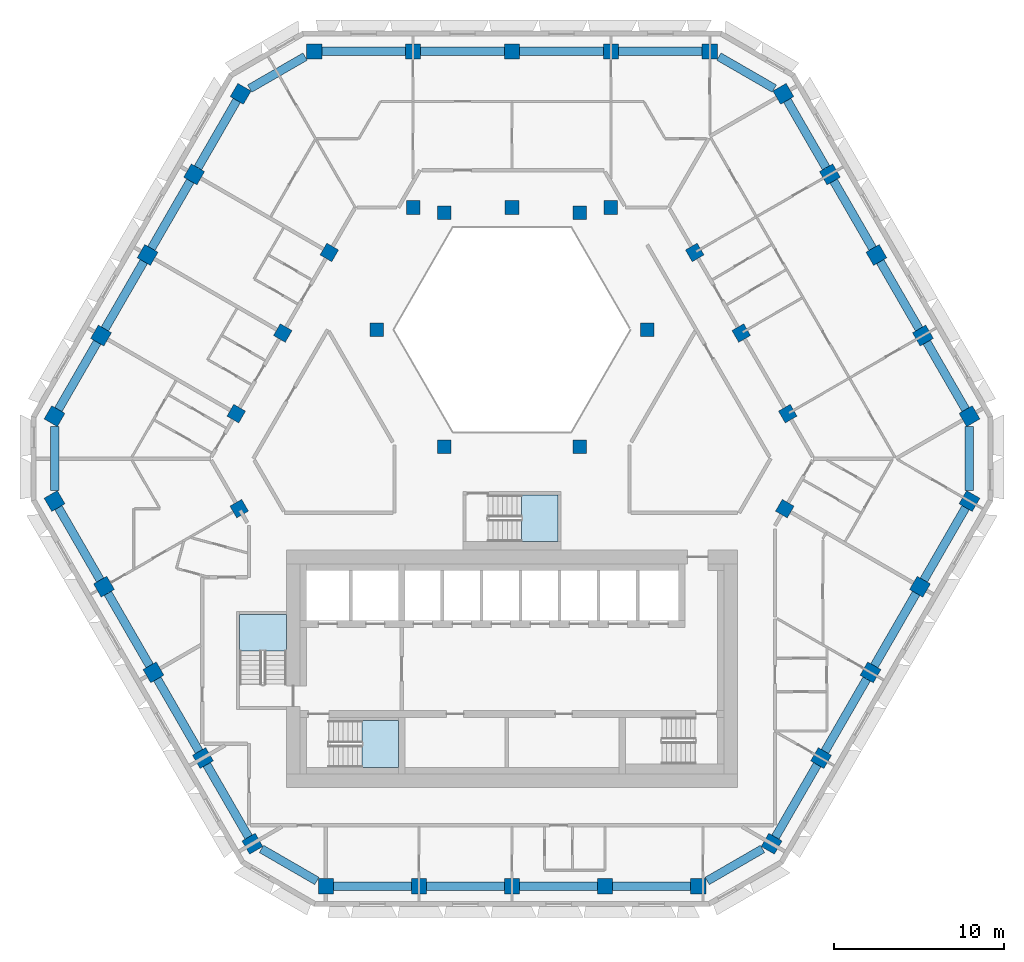
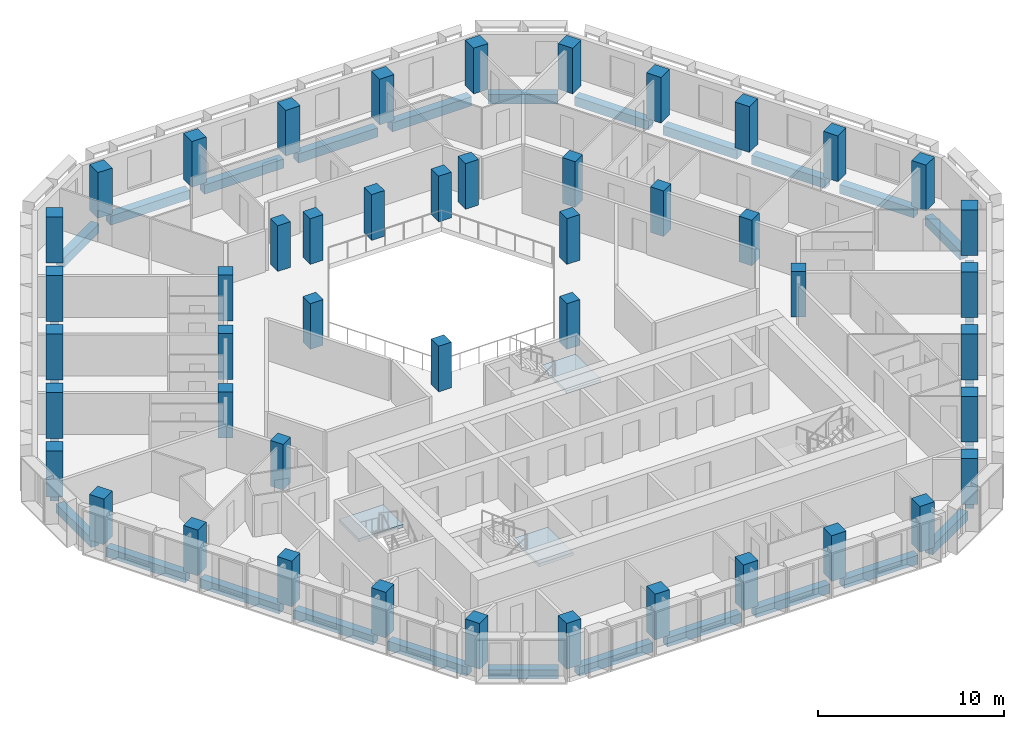
# One storey, part 1 of 15: 47 columns, 30 beams, 3 slabs, 3 elements without a shape of their own.
"""IFC4 building model written with IfcOpenShell, lengths in metres."""

from ifc_helpers import new_model, si_unit, direction, frame, origin, origin_2d, place, context, subcontext, project, spatial, polyline, rectangle, outline, extrude, material, layer, layer_set, material_profile, profile_set, type_object, element, aggregate, save


model = new_model("IFC4")

# Units and contexts
model_context = context("Model", 3, precision=1e-05, world=origin(), true_north=direction((0.0, 1.0)))
body_context = subcontext(model_context, "Body", "Model", "MODEL_VIEW")
ifc_project = project(units=[si_unit("LENGTHUNIT", "METRE"), si_unit("AREAUNIT", "SQUARE_METRE"), si_unit("VOLUMEUNIT", "CUBIC_METRE"), si_unit("PLANEANGLEUNIT", "RADIAN"), si_unit("MASSUNIT", "GRAM", prefix="KILO")], contexts=[model_context])

# Site, building, storey
site_placement = place(None, origin())
site = spatial("IfcSite", under=ifc_project, at=site_placement, CompositionType="ELEMENT")
building_placement = place(site_placement, origin())
building = spatial("IfcBuilding", under=site, at=building_placement, Name="Beryl Residences", CompositionType="ELEMENT")
storey_placement = place(building_placement, frame((0.0, 0.0, 147.60009765625)))
storey = spatial("IfcBuildingStorey", under=building, at=storey_placement, Name="L45", CompositionType="ELEMENT", Elevation=147.60009765625)

# Columns
ifc_material_1 = material(Name="Concrete C60/75", Category="concrete")
ifc_material_profile_1 = material_profile(ifc_material_1, rectangle(XDim=0.89990234375, YDim=0.89990234375, at=origin_2d()))
ifc_profile_set_1 = profile_set([ifc_material_profile_1], Name="Concrete C60/75")
column_type_1 = type_object("IfcColumnType", Name="C3 tube column 900 x 900 C60/75", PredefinedType="COLUMN", material=ifc_profile_set_1)
for number, where, z_axis, x_axis, name in (
    (1, (11.662109375, 24.39990234375, 0.0), (0.0, 0.0, 1.0), (-1.0, 0.0, 0.0), "C3-N1 L45"),
    (2, (5.8310546875, 24.39990234375, 0.0), (0.0, 0.0, 1.0), (-1.0, 0.0, 0.0), "C3-N2 L45"),
    (3, (0.0, 24.39990234375, 0.0), (0.0, 0.0, 1.0), (-1.0, 0.0, 0.0), "C3-N3 L45"),
    (4, (-5.8310546875, 24.39990234375, 0.0), (0.0, 0.0, 1.0), (-1.0, 0.0, 0.0), "C3-N4 L45"),
    (5, (-11.662109375, 24.39990234375, 0.0), (0.0, 0.0, 1.0), (-1.0, 0.0, 0.0), "C3-N5 L45"),
    (6, (-15.992919921875, 21.89990234375, 0.0), (0.0, 0.0, 1.0), (-0.5, -0.866025403784, 0.0), "C3-NW1 L45"),
    (7, (-18.735107421875, 17.14990234375, 0.0), (0.0, 0.0, 1.0), (-0.5, -0.866025403784, 0.0), "C3-NW2 L45"),
    (8, (-21.47802734375, 12.39990234375, 0.0), (0.0, 0.0, 1.0), (-0.5, -0.866025403784, 0.0), "C3-NW3 L45"),
    (9, (-24.219970703125, 7.64990234375, 0.0), (0.0, 0.0, 1.0), (-0.5, -0.866025403784, 0.0), "C3-NW4 L45"),
    (10, (-26.962890625, 2.89990234375, 0.0), (0.0, 0.0, 1.0), (-0.5, -0.866025403784, 0.0), "C3-NW5 L45"),
    (11, (-26.9619140625, -2.10009765625, 0.0), (0.0, 0.0, 1.0), (0.5, -0.866025403784, 0.0), "C3-SW1 L45"),
    (12, (-24.047119140625, -7.14892578125, 0.0), (0.0, 0.0, 1.0), (0.5, -0.866025403784, 0.0), "C3-SW2 L45"),
    (13, (-21.131103515625, -12.198974609375, 0.0), (0.0, 0.0, 1.0), (0.5, -0.866025403784, 0.0), "C3-SW3 L45"),
    (14, (-18.216064453125, -17.2490234375, 0.0), (0.0, 0.0, 1.0), (0.5, -0.866025403784, 0.0), "C3-SW4 L45"),
    (15, (-15.300048828125, -22.299072265625, 0.0), (0.0, 0.0, 1.0), (0.5, -0.866025403784, 0.0), "C3-SW5 L45"),
    (16, (-10.968994140625, -24.800048828125, 0.0), (0.0, 0.0, 1.0), (1.0, 0.0, 0.0), "C3-S1 L45"),
    (17, (-5.48388671875, -24.800048828125, 0.0), (0.0, 0.0, 1.0), (1.0, 0.0, 0.0), "C3-S2 L45"),
    (18, (0.0009765625, -24.800048828125, 0.0), (0.0, 0.0, 1.0), (1.0, 0.0, 0.0), "C3-S3 L45"),
    (19, (5.486083984375, -24.800048828125, 0.0), (0.0, 0.0, 1.0), (1.0, 0.0, 0.0), "C3-S4 L45"),
    (20, (10.970947265625, -24.800048828125, 0.0), (0.0, 0.0, 1.0), (1.0, 0.0, 0.0), "C3-S5 L45"),
    (21, (15.299072265625, -22.300048828125, 0.0), (0.0, 0.0, 1.0), (0.5, 0.866025403784, 0.0), "C3-SE1 L45"),
    (22, (18.215087890625, -17.2509765625, 0.0), (0.0, 0.0, 1.0), (0.5, 0.866025403784, 0.0), "C3-SE2 L45"),
    (23, (21.1298828125, -12.200927734375, 0.0), (0.0, 0.0, 1.0), (0.5, 0.866025403784, 0.0), "C3-SE3 L45"),
    (24, (24.0458984375, -7.15087890625, 0.0), (0.0, 0.0, 1.0), (0.5, 0.866025403784, 0.0), "C3-SE4 L45"),
    (25, (26.9609375, -2.10107421875, 0.0), (0.0, 0.0, 1.0), (0.5, 0.866025403784, 0.0), "C3-SE5 L45"),
    (26, (26.962890625, 2.89990234375, 0.0), (0.0, 0.0, 1.0), (-0.5, 0.866025403784, 0.0), "C3-NE1 L45"),
    (27, (24.219970703125, 7.64990234375, 0.0), (0.0, 0.0, 1.0), (-0.5, 0.866025403784, 0.0), "C3-NE2 L45"),
    (28, (21.47802734375, 12.39990234375, 0.0), (0.0, 0.0, 1.0), (-0.5, 0.866025403784, 0.0), "C3-NE3 L45"),
    (29, (18.735107421875, 17.14990234375, 0.0), (0.0, 0.0, 1.0), (-0.5, 0.866025403784, 0.0), "C3-NE4 L45"),
    (30, (15.992919921875, 21.89990234375, 0.0), (0.0, 0.0, 1.0), (-0.5, 0.866025403784, 0.0), "C3-NE5 L45"),
):
    element("IfcColumn", number, at=place(storey_placement, frame(where, z_axis=z_axis, x_axis=x_axis)), inside=storey, type_object=column_type_1, Name=name, PredefinedType="COLUMN", context=body_context, shape_type="SweptSolid", body=[
        extrude(rectangle(XDim=0.89990234375, YDim=0.89990234375, at=origin_2d()), origin(), (0.0, 0.0, 1.0), 3.0),
    ])
ifc_material_2 = material(Name="Concrete C60/75", Category="concrete")
ifc_material_profile_2 = material_profile(ifc_material_2, rectangle(XDim=0.800048828125, YDim=0.800048828125, at=origin_2d()))
ifc_profile_set_2 = profile_set([ifc_material_profile_2], Name="Concrete C60/75")
column_type_2 = type_object("IfcColumnType", Name="IC3 interior column 800 x 800 C60/75", PredefinedType="COLUMN", material=ifc_profile_set_2)
for number, where, z_axis, x_axis, name in (
    (31, (-16.0791015625, -2.549072265625, 0.0), (0.0, 0.0, 1.0), (0.5, -0.866025403784, 0.0), "IC3-M01 L45"),
    (32, (16.077880859375, -2.551025390625, 0.0), (0.0, 0.0, 1.0), (0.5, 0.866025403784, 0.0), "IC3-M02 L45"),
    (33, (16.2529296875, 3.050048828125, 0.0), (0.0, 0.0, 1.0), (-0.5, 0.866025403784, 0.0), "IC3-M03 L45"),
    (34, (3.98388671875, 1.10009765625, 0.0), (0.0, 0.0, 1.0), (1.0, 0.0, 0.0), "IC3-A04 L45"),
    (35, (13.510009765625, 7.800048828125, 0.0), (0.0, 0.0, 1.0), (-0.5, 0.866025403784, 0.0), "IC3-M05 L45"),
    (36, (7.967041015625, 8.0, 0.0), (0.0, 0.0, 1.0), (1.0, 0.0, 0.0), "IC3-A06 L45"),
    (37, (10.76806640625, 12.550048828125, 0.0), (0.0, 0.0, 1.0), (-0.5, 0.866025403784, 0.0), "IC3-M07 L45"),
    (38, (5.8310546875, 15.199951171875, 0.0), (0.0, 0.0, 1.0), (-1.0, 0.0, 0.0), "IC3-M08 L45"),
    (39, (3.98388671875, 14.89990234375, 0.0), (0.0, 0.0, 1.0), (1.0, 0.0, 0.0), "IC3-A09 L45"),
    (40, (0.0, 15.199951171875, 0.0), (0.0, 0.0, 1.0), (-1.0, 0.0, 0.0), "IC3-M10 L45"),
    (41, (-3.98388671875, 14.89990234375, 0.0), (0.0, 0.0, 1.0), (1.0, 0.0, 0.0), "IC3-A11 L45"),
    (42, (-5.8310546875, 15.199951171875, 0.0), (0.0, 0.0, 1.0), (-1.0, 0.0, 0.0), "IC3-M12 L45"),
    (43, (-10.76806640625, 12.550048828125, 0.0), (0.0, 0.0, 1.0), (-0.5, -0.866025403784, 0.0), "IC3-M13 L45"),
    (44, (-7.967041015625, 8.0, 0.0), (0.0, 0.0, 1.0), (1.0, 0.0, 0.0), "IC3-A14 L45"),
    (45, (-13.510009765625, 7.800048828125, 0.0), (0.0, 0.0, 1.0), (-0.5, -0.866025403784, 0.0), "IC3-M15 L45"),
    (46, (-3.98388671875, 1.10009765625, 0.0), (0.0, 0.0, 1.0), (1.0, 0.0, 0.0), "IC3-A16 L45"),
    (47, (-16.2529296875, 3.050048828125, 0.0), (0.0, 0.0, 1.0), (-0.5, -0.866025403784, 0.0), "IC3-M17 L45"),
):
    element("IfcColumn", number, at=place(storey_placement, frame(where, z_axis=z_axis, x_axis=x_axis)), inside=storey, type_object=column_type_2, Name=name, PredefinedType="COLUMN", context=body_context, shape_type="SweptSolid", body=[
        extrude(rectangle(XDim=0.800048828125, YDim=0.800048828125, at=origin_2d()), origin(), (0.0, 0.0, 1.0), 3.0),
    ])

# Beams
ifc_material_3 = material(Name="Concrete C60/75", Category="concrete")
ifc_material_profile_3 = material_profile(ifc_material_3, rectangle(XDim=0.5, YDim=0.60009765625, at=origin_2d()))
ifc_profile_set_3 = profile_set([ifc_material_profile_3], Name="Concrete C60/75")
beam_type = type_object("IfcBeamType", Name="SB3 spandrel beam 500 x 600 C60/75", PredefinedType="SPANDREL", material=ifc_profile_set_3)
beam_1_placement = place(storey_placement, frame((11.2119140625, 24.39990234375, -0.60009765625), z_axis=(-1.0, 0.0, 0.0), x_axis=(0.0, -1.0, 0.0)))
element("IfcBeam", 48, at=beam_1_placement, inside=storey, type_object=beam_type, Name="SB3 L45 N-0", PredefinedType="SPANDREL", context=body_context, shape_type="SweptSolid", body=[
    extrude(rectangle(XDim=0.5, YDim=0.60009765625, at=origin_2d()), origin(), (0.0, 0.0, 1.0), 4.930908203125),
])
for number, where, z_axis, x_axis, name in (
    (49, (5.381103515625, 24.39990234375, -0.60009765625), (-1.0, 0.0, 0.0), (0.0, -1.0, 0.0), "SB3 L45 N-1"),
    (50, (-0.449951171875, 24.39990234375, -0.60009765625), (-1.0, 0.0, 0.0), (0.0, -1.0, 0.0), "SB3 L45 N-2"),
):
    element("IfcBeam", number, at=place(storey_placement, frame(where, z_axis=z_axis, x_axis=x_axis)), inside=storey, type_object=beam_type, Name=name, PredefinedType="SPANDREL", context=body_context, shape_type="SweptSolid", body=[
        extrude(rectangle(XDim=0.5, YDim=0.60009765625, at=origin_2d()), origin(), (0.0, 0.0, 1.0), 4.93115234375),
    ])
beam_2_placement = place(storey_placement, frame((-6.281005859375, 24.39990234375, -0.60009765625), z_axis=(-1.0, 0.0, 0.0), x_axis=(0.0, -1.0, 0.0)))
element("IfcBeam", 51, at=beam_2_placement, inside=storey, type_object=beam_type, Name="SB3 L45 N-3", PredefinedType="SPANDREL", context=body_context, shape_type="SweptSolid", body=[
    extrude(rectangle(XDim=0.5, YDim=0.60009765625, at=origin_2d()), origin(), (0.0, 0.0, 1.0), 4.930908203125),
])
beam_3_placement = place(storey_placement, frame((-12.194091796875, 24.093017578125, -0.60009765625), z_axis=(-0.866040087317, -0.499974566514, 0.0), x_axis=(0.499974566514, -0.866040087317, 0.0)))
element("IfcBeam", 52, at=beam_3_placement, inside=storey, type_object=beam_type, Name="SB3 L45 N-4", PredefinedType="SPANDREL", context=body_context, shape_type="SweptSolid", body=[
    extrude(rectangle(XDim=0.5, YDim=0.60009765625, at=origin_2d()), origin(), (0.0, 0.0, 1.0), 3.772216796875),
])
beam_4_placement = place(storey_placement, frame((-16.218017578125, 21.510009765625, -0.60009765625), z_axis=(-0.49998830735, -0.866032154434, 0.0), x_axis=(0.866032154434, -0.49998830735, 0.0)))
element("IfcBeam", 53, at=beam_4_placement, inside=storey, type_object=beam_type, Name="SB3 L45 NW-0", PredefinedType="SPANDREL", context=body_context, shape_type="SweptSolid", body=[
    extrude(rectangle(XDim=0.5, YDim=0.60009765625, at=origin_2d()), origin(), (0.0, 0.0, 1.0), 4.583984375),
])
beam_5_placement = place(storey_placement, frame((-18.9599609375, 16.760009765625, -0.60009765625), z_axis=(-0.500148059018, -0.865939904993, 0.0), x_axis=(0.865939904993, -0.500148059018, 0.0)))
element("IfcBeam", 54, at=beam_5_placement, inside=storey, type_object=beam_type, Name="SB3 L45 NW-1", PredefinedType="SPANDREL", context=body_context, shape_type="SweptSolid", body=[
    extrude(rectangle(XDim=0.5, YDim=0.60009765625, at=origin_2d()), origin(), (0.0, 0.0, 1.0), 4.58447265625),
])
beam_6_placement = place(storey_placement, frame((-21.702880859375, 12.010009765625, -0.60009765625), z_axis=(-0.500028250054, -0.866009092994, 0.0), x_axis=(0.866009092994, -0.500028250054, 0.0)))
element("IfcBeam", 55, at=beam_6_placement, inside=storey, type_object=beam_type, Name="SB3 L45 NW-2", PredefinedType="SPANDREL", context=body_context, shape_type="SweptSolid", body=[
    extrude(rectangle(XDim=0.5, YDim=0.60009765625, at=origin_2d()), origin(), (0.0, 0.0, 1.0), 4.584228515625),
])
beam_7_placement = place(storey_placement, frame((-24.445068359375, 7.260009765625, -0.60009765625), z_axis=(-0.500148059018, -0.865939904993, 0.0), x_axis=(0.865939904993, -0.500148059018, 0.0)))
element("IfcBeam", 56, at=beam_7_placement, inside=storey, type_object=beam_type, Name="SB3 L45 NW-3", PredefinedType="SPANDREL", context=body_context, shape_type="SweptSolid", body=[
    extrude(rectangle(XDim=0.5, YDim=0.60009765625, at=origin_2d()), origin(), (0.0, 0.0, 1.0), 4.58447265625),
])
beam_8_placement = place(storey_placement, frame((-26.962890625, 2.285888671875, -0.60009765625), z_axis=(0.000258899668, -0.999999966485, 0.0), x_axis=(0.999999966485, 0.000258899668, 0.0)))
element("IfcBeam", 57, at=beam_8_placement, inside=storey, type_object=beam_type, Name="SB3 L45 NW-4", PredefinedType="SPANDREL", context=body_context, shape_type="SweptSolid", body=[
    extrude(rectangle(XDim=0.5, YDim=0.60009765625, at=origin_2d()), origin(), (0.0, 0.0, 1.0), 3.77197265625),
])
beam_9_placement = place(storey_placement, frame((-26.737060546875, -2.489990234375, -0.60009765625), z_axis=(0.50005397607, -0.865994238443, 0.0), x_axis=(0.865994238443, 0.50005397607, 0.0)))
element("IfcBeam", 58, at=beam_9_placement, inside=storey, type_object=beam_type, Name="SB3 L45 SW-0", PredefinedType="SPANDREL", context=body_context, shape_type="SweptSolid", body=[
    extrude(rectangle(XDim=0.5, YDim=0.60009765625, at=origin_2d()), origin(), (0.0, 0.0, 1.0), 4.9296875),
])
beam_10_placement = place(storey_placement, frame((-23.822021484375, -7.5390625, -0.60009765625), z_axis=(0.500116736097, -0.865957995677, 0.0), x_axis=(0.865957995677, 0.500116736097, 0.0)))
element("IfcBeam", 59, at=beam_10_placement, inside=storey, type_object=beam_type, Name="SB3 L45 SW-1", PredefinedType="SPANDREL", context=body_context, shape_type="SweptSolid", body=[
    extrude(rectangle(XDim=0.5, YDim=0.60009765625, at=origin_2d()), origin(), (0.0, 0.0, 1.0), 4.930908203125),
])
beam_11_placement = place(storey_placement, frame((-20.906005859375, -12.589111328125, -0.60009765625), z_axis=(0.499989643469, -0.866031383048, 0.0), x_axis=(0.866031383048, 0.499989643469, 0.0)))
element("IfcBeam", 60, at=beam_11_placement, inside=storey, type_object=beam_type, Name="SB3 L45 SW-2", PredefinedType="SPANDREL", context=body_context, shape_type="SweptSolid", body=[
    extrude(rectangle(XDim=0.5, YDim=0.60009765625, at=origin_2d()), origin(), (0.0, 0.0, 1.0), 4.93017578125),
])
beam_12_placement = place(storey_placement, frame((-17.990966796875, -17.638916015625, -0.60009765625), z_axis=(0.500116736097, -0.865957995677, 0.0), x_axis=(0.865957995677, 0.500116736097, 0.0)))
element("IfcBeam", 61, at=beam_12_placement, inside=storey, type_object=beam_type, Name="SB3 L45 SW-3", PredefinedType="SPANDREL", context=body_context, shape_type="SweptSolid", body=[
    extrude(rectangle(XDim=0.5, YDim=0.60009765625, at=origin_2d()), origin(), (0.0, 0.0, 1.0), 4.930908203125),
])
beam_13_placement = place(storey_placement, frame((-14.76806640625, -22.60595703125, -0.60009765625), z_axis=(0.865944170592, -0.500140673629, 0.0), x_axis=(0.500140673629, 0.865944170592, 0.0)))
element("IfcBeam", 62, at=beam_13_placement, inside=storey, type_object=beam_type, Name="SB3 L45 SW-4", PredefinedType="SPANDREL", context=body_context, shape_type="SweptSolid", body=[
    extrude(rectangle(XDim=0.5, YDim=0.60009765625, at=origin_2d()), origin(), (0.0, 0.0, 1.0), 3.77294921875),
])
for number, where, z_axis, x_axis, name in (
    (63, (-10.51904296875, -24.800048828125, -0.60009765625), (1.0, 0.0, 0.0), (0.0, 1.0, 0.0), "SB3 L45 S-0"),
    (64, (-5.033935546875, -24.800048828125, -0.60009765625), (1.0, 0.0, 0.0), (0.0, 1.0, 0.0), "SB3 L45 S-1"),
    (65, (0.450927734375, -24.800048828125, -0.60009765625), (1.0, 0.0, 0.0), (0.0, 1.0, 0.0), "SB3 L45 S-2"),
    (66, (5.93603515625, -24.800048828125, -0.60009765625), (1.0, 0.0, 0.0), (0.0, 1.0, 0.0), "SB3 L45 S-3"),
):
    element("IfcBeam", number, at=place(storey_placement, frame(where, z_axis=z_axis, x_axis=x_axis)), inside=storey, type_object=beam_type, Name=name, PredefinedType="SPANDREL", context=body_context, shape_type="SweptSolid", body=[
        extrude(rectangle(XDim=0.5, YDim=0.60009765625, at=origin_2d()), origin(), (0.0, 0.0, 1.0), 4.5849609375),
    ])
beam_14_placement = place(storey_placement, frame((11.5029296875, -24.492919921875, -0.60009765625), z_axis=(0.865861956233, 0.500282992663, 0.0), x_axis=(-0.500282992663, 0.865861956233, 0.0)))
element("IfcBeam", 67, at=beam_14_placement, inside=storey, type_object=beam_type, Name="SB3 L45 S-4", PredefinedType="SPANDREL", context=body_context, shape_type="SweptSolid", body=[
    extrude(rectangle(XDim=0.5, YDim=0.60009765625, at=origin_2d()), origin(), (0.0, 0.0, 1.0), 3.769775390625),
])
beam_15_placement = place(storey_placement, frame((15.52392578125, -21.909912109375, -0.60009765625), z_axis=(0.500223967704, 0.86589605735, 0.0), x_axis=(-0.86589605735, 0.500223967704, 0.0)))
element("IfcBeam", 68, at=beam_15_placement, inside=storey, type_object=beam_type, Name="SB3 L45 SE-0", PredefinedType="SPANDREL", context=body_context, shape_type="SweptSolid", body=[
    extrude(rectangle(XDim=0.5, YDim=0.60009765625, at=origin_2d()), origin(), (0.0, 0.0, 1.0), 4.929931640625),
])
beam_16_placement = place(storey_placement, frame((18.43994140625, -16.861083984375, -0.60009765625), z_axis=(0.499968202334, 0.866043761397, 0.0), x_axis=(-0.866043761397, 0.499968202334, 0.0)))
element("IfcBeam", 69, at=beam_16_placement, inside=storey, type_object=beam_type, Name="SB3 L45 SE-1", PredefinedType="SPANDREL", context=body_context, shape_type="SweptSolid", body=[
    extrude(rectangle(XDim=0.5, YDim=0.60009765625, at=origin_2d()), origin(), (0.0, 0.0, 1.0), 4.930419921875),
])
beam_17_placement = place(storey_placement, frame((21.35498046875, -11.81103515625, -0.60009765625), z_axis=(0.500116736097, 0.865957995677, 0.0), x_axis=(-0.865957995677, 0.500116736097, 0.0)))
element("IfcBeam", 70, at=beam_17_placement, inside=storey, type_object=beam_type, Name="SB3 L45 SE-2", PredefinedType="SPANDREL", context=body_context, shape_type="SweptSolid", body=[
    extrude(rectangle(XDim=0.5, YDim=0.60009765625, at=origin_2d()), origin(), (0.0, 0.0, 1.0), 4.930908203125),
])
beam_18_placement = place(storey_placement, frame((24.27099609375, -6.760986328125, -0.60009765625), z_axis=(0.499968202334, 0.866043761397, 0.0), x_axis=(-0.866043761397, 0.499968202334, 0.0)))
element("IfcBeam", 71, at=beam_18_placement, inside=storey, type_object=beam_type, Name="SB3 L45 SE-3", PredefinedType="SPANDREL", context=body_context, shape_type="SweptSolid", body=[
    extrude(rectangle(XDim=0.5, YDim=0.60009765625, at=origin_2d()), origin(), (0.0, 0.0, 1.0), 4.930419921875),
])
beam_19_placement = place(storey_placement, frame((26.9609375, -1.487060546875, -0.60009765625), z_axis=(0.00051766526, 0.999999866011, 0.0), x_axis=(-0.999999866011, 0.00051766526, 0.0)))
element("IfcBeam", 72, at=beam_19_placement, inside=storey, type_object=beam_type, Name="SB3 L45 SE-4", PredefinedType="SPANDREL", context=body_context, shape_type="SweptSolid", body=[
    extrude(rectangle(XDim=0.5, YDim=0.60009765625, at=origin_2d()), origin(), (0.0, 0.0, 1.0), 3.77294921875),
])
beam_20_placement = place(storey_placement, frame((26.738037109375, 3.2900390625, -0.60009765625), z_axis=(-0.500148059018, 0.865939904993, 0.0), x_axis=(-0.865939904993, -0.500148059018, 0.0)))
element("IfcBeam", 73, at=beam_20_placement, inside=storey, type_object=beam_type, Name="SB3 L45 NE-0", PredefinedType="SPANDREL", context=body_context, shape_type="SweptSolid", body=[
    extrude(rectangle(XDim=0.5, YDim=0.60009765625, at=origin_2d()), origin(), (0.0, 0.0, 1.0), 4.58447265625),
])
beam_21_placement = place(storey_placement, frame((23.9951171875, 8.0400390625, -0.60009765625), z_axis=(-0.500028250054, 0.866009092994, 0.0), x_axis=(-0.866009092994, -0.500028250054, 0.0)))
element("IfcBeam", 74, at=beam_21_placement, inside=storey, type_object=beam_type, Name="SB3 L45 NE-1", PredefinedType="SPANDREL", context=body_context, shape_type="SweptSolid", body=[
    extrude(rectangle(XDim=0.5, YDim=0.60009765625, at=origin_2d()), origin(), (0.0, 0.0, 1.0), 4.584228515625),
])
beam_22_placement = place(storey_placement, frame((21.2529296875, 12.7900390625, -0.60009765625), z_axis=(-0.500148059018, 0.865939904993, 0.0), x_axis=(-0.865939904993, -0.500148059018, 0.0)))
element("IfcBeam", 75, at=beam_22_placement, inside=storey, type_object=beam_type, Name="SB3 L45 NE-2", PredefinedType="SPANDREL", context=body_context, shape_type="SweptSolid", body=[
    extrude(rectangle(XDim=0.5, YDim=0.60009765625, at=origin_2d()), origin(), (0.0, 0.0, 1.0), 4.58447265625),
])
beam_23_placement = place(storey_placement, frame((18.510009765625, 17.5400390625, -0.60009765625), z_axis=(-0.49998830735, 0.866032154434, 0.0), x_axis=(-0.866032154434, -0.49998830735, 0.0)))
element("IfcBeam", 76, at=beam_23_placement, inside=storey, type_object=beam_type, Name="SB3 L45 NE-3", PredefinedType="SPANDREL", context=body_context, shape_type="SweptSolid", body=[
    extrude(rectangle(XDim=0.5, YDim=0.60009765625, at=origin_2d()), origin(), (0.0, 0.0, 1.0), 4.583984375),
])
beam_24_placement = place(storey_placement, frame((15.4609375, 22.20703125, -0.60009765625), z_axis=(-0.866040087317, 0.499974566514, 0.0), x_axis=(-0.499974566514, -0.866040087317, 0.0)))
element("IfcBeam", 77, at=beam_24_placement, inside=storey, type_object=beam_type, Name="SB3 L45 NE-4", PredefinedType="SPANDREL", context=body_context, shape_type="SweptSolid", body=[
    extrude(rectangle(XDim=0.5, YDim=0.60009765625, at=origin_2d()), origin(), (0.0, 0.0, 1.0), 3.772216796875),
])

# Stair, slab
ifc_material_4 = material(Name="Concrete C40/50", Category="concrete")
stair_type = type_object("IfcStairType", Name="ST1 protected exit stair, half-turn, 1300 mm flights", PredefinedType="HALF_TURN_STAIR", material=ifc_material_4)
stair_1_placement = place(storey_placement, origin())
stair_1 = element("IfcStair", 78, at=stair_1_placement, inside=storey, type_object=stair_type, Name="L45 PROTECTED EXIT STAIR ST-1", PredefinedType="HALF_TURN_STAIR")
ifc_material_5 = material(Name="Concrete C40/50", Category="concrete")
ifc_layer = layer(ifc_material_5, 0.199951171875)
ifc_layer_set = layer_set([ifc_layer], Name="SLD1 stair landing 200 mm")
slab_type = type_object("IfcSlabType", Name="SLD1 stair landing 200 mm", PredefinedType="LANDING", material=ifc_layer_set)
slab_1_placement = place(storey_placement, frame((0.0, 0.0, 1.2998046875)))
slab_1 = element("IfcSlab", 79, at=slab_1_placement, type_object=slab_type, Name="ST-1 landing 1", PredefinedType="LANDING", context=body_context, shape_type="SweptSolid", body=[
    extrude(outline(polyline([(-8.840087890625, -17.800048828125), (-6.699951171875, -17.800048828125), (-6.699951171875, -15.050048828125), (-8.840087890625, -15.050048828125), (-8.840087890625, -17.800048828125)])), origin(), (0.0, 0.0, 1.0), 0.2001953125),
])
aggregate(stair_1, [slab_1])

stair_2_placement = place(storey_placement, origin())
stair_2 = element("IfcStair", 80, at=stair_2_placement, inside=storey, type_object=stair_type, Name="L45 PROTECTED EXIT STAIR ST-2", PredefinedType="HALF_TURN_STAIR")
slab_2_placement = place(storey_placement, frame((0.0, 0.0, 1.2998046875)))
slab_2 = element("IfcSlab", 81, at=slab_2_placement, type_object=slab_type, Name="ST-2 landing 1", PredefinedType="LANDING", context=body_context, shape_type="SweptSolid", body=[
    extrude(outline(polyline([(-13.300048828125, -10.93994140625), (-13.300048828125, -8.800048828125), (-16.050048828125, -8.800048828125), (-16.050048828125, -10.93994140625), (-13.300048828125, -10.93994140625)])), origin(), (0.0, 0.0, 1.0), 0.2001953125),
])
aggregate(stair_2, [slab_2])

stair_3_placement = place(storey_placement, origin())
stair_3 = element("IfcStair", 82, at=stair_3_placement, inside=storey, type_object=stair_type, Name="L45 PROTECTED EXIT STAIR ST-4", PredefinedType="HALF_TURN_STAIR")
slab_3_placement = place(storey_placement, frame((0.0, 0.0, 1.2998046875)))
slab_3 = element("IfcSlab", 83, at=slab_3_placement, type_object=slab_type, Name="ST-4 landing 1", PredefinedType="LANDING", context=body_context, shape_type="SweptSolid", body=[
    extrude(outline(polyline([(0.56005859375, -4.5), (2.699951171875, -4.5), (2.699951171875, -1.75), (0.56005859375, -1.75), (0.56005859375, -4.5)])), origin(), (0.0, 0.0, 1.0), 0.2001953125),
])
aggregate(stair_3, [slab_3])

save(model, "model.ifc")
